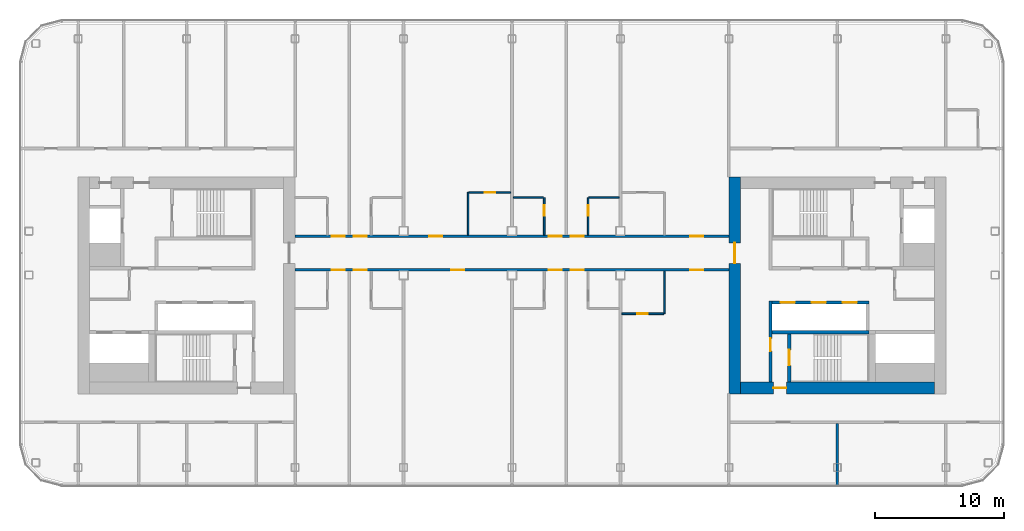
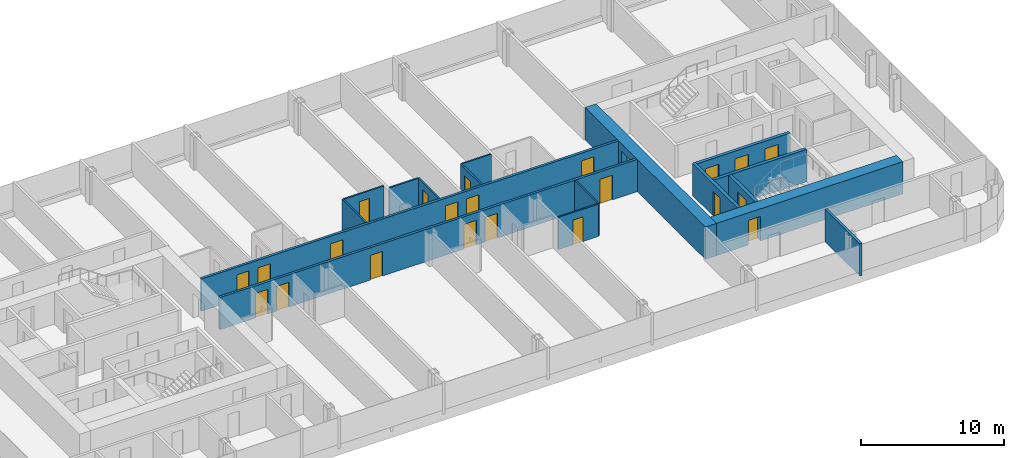
# One storey, part 15 of 26: 23 doors, 17 walls, 23 openings.
"""IFC4 building model written with IfcOpenShell, lengths in metres."""

from ifc_helpers import new_model, si_unit, direction, frame, frame_2d, origin, place, context, subcontext, project, spatial, rectangle, extrude, material, layer, layer_set, type_object, element, fill, save


model = new_model("IFC4")

# Units and contexts
model_context = context("Model", 3, precision=1e-05, world=origin(), true_north=direction((0.0, 1.0)))
body_context = subcontext(model_context, "Body", "Model", "MODEL_VIEW")
ifc_project = project(units=[si_unit("LENGTHUNIT", "METRE"), si_unit("AREAUNIT", "SQUARE_METRE"), si_unit("VOLUMEUNIT", "CUBIC_METRE"), si_unit("PLANEANGLEUNIT", "RADIAN"), si_unit("MASSUNIT", "GRAM", prefix="KILO")], contexts=[model_context])

# Site, building, storey
site_placement = place(None, origin())
site = spatial("IfcSite", under=ifc_project, at=site_placement, CompositionType="ELEMENT")
building_placement = place(site_placement, origin())
building = spatial("IfcBuilding", under=site, at=building_placement, Name="Hakoniwa Tower and Hamabe Station Hall", CompositionType="ELEMENT")
storey_placement = place(building_placement, frame((0.0, 0.0, 196.199951171875)))
storey = spatial("IfcBuildingStorey", under=building, at=storey_placement, Name="L55", CompositionType="ELEMENT", Elevation=196.199951171875)

# Wall, opening, door
ifc_material_1 = material(Name="Gypsum board partition", Category="gypsum")
ifc_layer_1 = layer(ifc_material_1, 0.125)
ifc_layer_set_1 = layer_set([ifc_layer_1], Name="Bathroom Partition 125")
wall_type_1 = type_object("IfcWallType", Name="Bathroom Partition 125", PredefinedType="PARTITIONING", material=ifc_layer_set_1)
wall_1_placement = place(storey_placement, frame((8.5, -2.199951171875, 0.0), z_axis=(0.0, 0.0, 1.0), x_axis=(1.0, 0.0, 0.0)))
wall_1 = element("IfcWall", 1, at=wall_1_placement, inside=storey, type_object=wall_type_1, Name="GW-L55-003", PredefinedType="PARTITIONING", context=body_context, shape_type="SweptSolid", body=[
    extrude(rectangle(XDim=3.237548828125, YDim=0.125, at=frame_2d((1.61865234375, 0.0))), origin(), (0.0, 0.0, 1.0), 2.75),
])
opening_1_placement = place(wall_1_placement, frame((1.199951171875, 0.0, 0.0)))
opening_1 = element("IfcOpeningElement", 2, at=opening_1_placement, cuts=wall_1, Name="Opening GD-G4D0-09", PredefinedType="OPENING", context=body_context, shape_type="SweptSolid", body=[
    extrude(rectangle(XDim=0.800048828125, YDim=2.10009765625, at=frame_2d((0.39990234375, 1.050048828125))), frame((0.0, 0.072509765625, 0.0), z_axis=(0.0, -1.0, 0.0), x_axis=(1.0, 0.0, 0.0)), (0.0, 0.0, 1.0), 0.14501953125),
])
ifc_material_2 = material(Name="Timber door leaf", Category="wood")
door_type_1 = type_object("IfcDoorType", Name="Bathroom Door 800", OperationType="SINGLE_SWING_LEFT", PredefinedType="DOOR", material=ifc_material_2)
door_1_placement = place(opening_1_placement, origin())
door_1 = element("IfcDoor", 3, at=door_1_placement, inside=storey, type_object=door_type_1, Name="Door GD-G4D0-09", OperationType="SINGLE_SWING_LEFT", OverallHeight=2.10009765625, OverallWidth=0.800048828125, PredefinedType="DOOR", context=body_context, shape_type="SweptSolid", body=[
    extrude(rectangle(XDim=0.800048828125, YDim=2.10009765625, at=frame_2d((0.39990234375, 1.050048828125))), frame((0.0, 0.02490234375, 0.0), z_axis=(0.0, -1.0, 0.0), x_axis=(1.0, 0.0, 0.0)), (0.0, 0.0, 1.0), 0.050048828125),
])
fill(opening_1, door_1)

# Walls
wall_2_placement = place(storey_placement, frame((0.10009765625, 6.800048828125, 0.0), z_axis=(0.0, 0.0, 1.0), x_axis=(1.0, 0.0, 0.0)))
element("IfcWall", 4, at=wall_2_placement, inside=storey, type_object=wall_type_1, Name="GW-L55-012", PredefinedType="PARTITIONING", context=body_context, shape_type="SweptSolid", body=[
    extrude(rectangle(XDim=2.33740234375, YDim=0.125, at=frame_2d((1.168701171875, 0.0))), origin(), (0.0, 0.0, 1.0), 2.75),
])
wall_3_placement = place(storey_placement, frame((5.96240234375, 6.800048828125, 0.0), z_axis=(0.0, 0.0, 1.0), x_axis=(1.0, 0.0, 0.0)))
element("IfcWall", 5, at=wall_3_placement, inside=storey, type_object=wall_type_1, Name="GW-L55-013", PredefinedType="PARTITIONING", context=body_context, shape_type="SweptSolid", body=[
    extrude(rectangle(XDim=2.337646484375, YDim=0.125, at=frame_2d((1.1689453125, 0.0))), origin(), (0.0, 0.0, 1.0), 2.75),
])

# Wall, opening, door
wall_4_placement = place(storey_placement, frame((-3.33740234375, 7.199951171875, 0.0), z_axis=(0.0, 0.0, 1.0), x_axis=(1.0, 0.0, 0.0)))
wall_4 = element("IfcWall", 6, at=wall_4_placement, inside=storey, type_object=wall_type_1, Name="GW-L55-014", PredefinedType="PARTITIONING", context=body_context, shape_type="SweptSolid", body=[
    extrude(rectangle(XDim=3.2373046875, YDim=0.125, at=frame_2d((1.61865234375, 0.0))), origin(), (0.0, 0.0, 1.0), 2.75),
])
opening_2_placement = place(wall_4_placement, frame((1.237548828125, 0.0, 0.0)))
opening_2 = element("IfcOpeningElement", 7, at=opening_2_placement, cuts=wall_4, Name="Opening GD-G4D0-22", PredefinedType="OPENING", context=body_context, shape_type="SweptSolid", body=[
    extrude(rectangle(XDim=0.800048828125, YDim=2.10009765625, at=frame_2d((0.39990234375, 1.050048828125))), frame((0.0, 0.072509765625, 0.0), z_axis=(0.0, -1.0, 0.0), x_axis=(1.0, 0.0, 0.0)), (0.0, 0.0, 1.0), 0.14501953125),
])
door_2_placement = place(opening_2_placement, origin())
door_2 = element("IfcDoor", 8, at=door_2_placement, inside=storey, type_object=door_type_1, Name="Door GD-G4D0-22", OperationType="SINGLE_SWING_LEFT", OverallHeight=2.10009765625, OverallWidth=0.800048828125, PredefinedType="DOOR", context=body_context, shape_type="SweptSolid", body=[
    extrude(rectangle(XDim=0.800048828125, YDim=2.10009765625, at=frame_2d((0.39990234375, 1.050048828125))), frame((0.0, 0.02490234375, 0.0), z_axis=(0.0, -1.0, 0.0), x_axis=(1.0, 0.0, 0.0)), (0.0, 0.0, 1.0), 0.050048828125),
])
fill(opening_2, door_2)

# Wall
wall_5_placement = place(storey_placement, frame((-3.39990234375, 3.89990234375, 0.0), z_axis=(0.0, 0.0, 1.0), x_axis=(0.0, 1.0, 0.0)))
element("IfcWall", 9, at=wall_5_placement, inside=storey, type_object=wall_type_1, Name="GW-L55-037", PredefinedType="PARTITIONING", context=body_context, shape_type="SweptSolid", body=[
    extrude(rectangle(XDim=3.300048828125, YDim=0.125, at=frame_2d((1.64990234375, 0.0))), origin(), (0.0, 0.0, 1.0), 2.75),
])

# Wall, opening, door
wall_6_placement = place(storey_placement, frame((2.5, 3.89990234375, 0.0), z_axis=(0.0, 0.0, 1.0), x_axis=(0.0, 1.0, 0.0)))
wall_6 = element("IfcWall", 10, at=wall_6_placement, inside=storey, type_object=wall_type_1, Name="GW-L55-041", PredefinedType="PARTITIONING", context=body_context, shape_type="SweptSolid", body=[
    extrude(rectangle(XDim=2.900146484375, YDim=0.125, at=frame_2d((1.4501953125, 0.0))), origin(), (0.0, 0.0, 1.0), 2.75),
])
opening_3_placement = place(wall_6_placement, frame((1.5, 0.0, 0.0)))
opening_3 = element("IfcOpeningElement", 11, at=opening_3_placement, cuts=wall_6, Name="Opening GD-G4D0-37", PredefinedType="OPENING", context=body_context, shape_type="SweptSolid", body=[
    extrude(rectangle(XDim=0.800048828125, YDim=2.10009765625, at=frame_2d((0.39990234375, 1.050048828125))), frame((0.0, 0.072509765625, 0.0), z_axis=(0.0, -1.0, 0.0), x_axis=(1.0, 0.0, 0.0)), (0.0, 0.0, 1.0), 0.14501953125),
])
door_3_placement = place(opening_3_placement, origin())
door_3 = element("IfcDoor", 12, at=door_3_placement, inside=storey, type_object=door_type_1, Name="Door GD-G4D0-37", OperationType="SINGLE_SWING_LEFT", OverallHeight=2.10009765625, OverallWidth=0.800048828125, PredefinedType="DOOR", context=body_context, shape_type="SweptSolid", body=[
    extrude(rectangle(XDim=0.800048828125, YDim=2.10009765625, at=frame_2d((0.39990234375, 1.050048828125))), frame((0.0, 0.02490234375, 0.0), z_axis=(0.0, -1.0, 0.0), x_axis=(1.0, 0.0, 0.0)), (0.0, 0.0, 1.0), 0.050048828125),
])
fill(opening_3, door_3)

wall_7_placement = place(storey_placement, frame((5.89990234375, 3.89990234375, 0.0), z_axis=(0.0, 0.0, 1.0), x_axis=(0.0, 1.0, 0.0)))
wall_7 = element("IfcWall", 13, at=wall_7_placement, inside=storey, type_object=wall_type_1, Name="GW-L55-045", PredefinedType="PARTITIONING", context=body_context, shape_type="SweptSolid", body=[
    extrude(rectangle(XDim=2.900146484375, YDim=0.125, at=frame_2d((1.4501953125, 0.0))), origin(), (0.0, 0.0, 1.0), 2.75),
])
opening_4_placement = place(wall_7_placement, frame((1.5, 0.0, 0.0)))
opening_4 = element("IfcOpeningElement", 14, at=opening_4_placement, cuts=wall_7, Name="Opening GD-G4D0-39", PredefinedType="OPENING", context=body_context, shape_type="SweptSolid", body=[
    extrude(rectangle(XDim=0.800048828125, YDim=2.10009765625, at=frame_2d((0.39990234375, 1.050048828125))), frame((0.0, 0.072509765625, 0.0), z_axis=(0.0, -1.0, 0.0), x_axis=(1.0, 0.0, 0.0)), (0.0, 0.0, 1.0), 0.14501953125),
])
door_4_placement = place(opening_4_placement, origin())
door_4 = element("IfcDoor", 15, at=door_4_placement, inside=storey, type_object=door_type_1, Name="Door GD-G4D0-39", OperationType="SINGLE_SWING_RIGHT", OverallHeight=2.10009765625, OverallWidth=0.800048828125, PredefinedType="DOOR", context=body_context, shape_type="SweptSolid", body=[
    extrude(rectangle(XDim=0.800048828125, YDim=2.10009765625, at=frame_2d((0.39990234375, 1.050048828125))), frame((0.0, 0.02490234375, 0.0), z_axis=(0.0, -1.0, 0.0), x_axis=(1.0, 0.0, 0.0)), (0.0, 0.0, 1.0), 0.050048828125),
])
fill(opening_4, door_4)

# Wall
wall_8_placement = place(storey_placement, frame((11.800048828125, -2.199951171875, 0.0), z_axis=(0.0, 0.0, 1.0), x_axis=(0.0, 1.0, 0.0)))
element("IfcWall", 16, at=wall_8_placement, inside=storey, type_object=wall_type_1, Name="GW-L55-048", PredefinedType="PARTITIONING", context=body_context, shape_type="SweptSolid", body=[
    extrude(rectangle(XDim=3.300048828125, YDim=0.125, at=frame_2d((1.64990234375, 0.0))), origin(), (0.0, 0.0, 1.0), 2.75),
])

# Wall, opening, door
ifc_material_3 = material(Name="Concrete C60", Category="concrete")
ifc_layer_2 = layer(ifc_material_3, 0.89990234375)
ifc_layer_set_2 = layer_set([ifc_layer_2], Name="CORE WALL 900 C60")
wall_type_2 = type_object("IfcWallType", Name="CORE WALL 900 C60", PredefinedType="SHEAR", material=ifc_layer_set_2)
wall_9_placement = place(storey_placement, frame((17.25, -8.39990234375, 0.0), z_axis=(0.0, 0.0, 1.0), x_axis=(0.0, 1.0, 0.0)))
wall_9 = element("IfcWall", 17, at=wall_9_placement, inside=storey, type_object=wall_type_2, Name="Core wall INNER east", PredefinedType="SHEAR", context=body_context, shape_type="SweptSolid", body=[
    extrude(rectangle(XDim=16.7998046875, YDim=0.89990234375, at=frame_2d((8.39990234375, 0.0))), origin(), (0.0, 0.0, 1.0), 2.75),
])
opening_5_placement = place(wall_9_placement, frame((10.10009765625, 0.0, 0.0)))
opening_5 = element("IfcOpeningElement", 18, at=opening_5_placement, cuts=wall_9, Name="Opening CD-E-IN1-16", PredefinedType="OPENING", context=body_context, shape_type="SweptSolid", body=[
    extrude(rectangle(XDim=1.60009765625, YDim=2.10009765625, at=frame_2d((0.800048828125, 1.050048828125))), frame((0.0, 0.4599609375, 0.0), z_axis=(0.0, -1.0, 0.0), x_axis=(1.0, 0.0, 0.0)), (0.0, 0.0, 1.0), 0.919921875),
])
ifc_material_4 = material(Name="Steel fire door", Category="steel")
door_type_2 = type_object("IfcDoorType", Name="CORE DOOR 1600 FD60", OperationType="DOUBLE_DOOR_SINGLE_SWING", PredefinedType="DOOR", material=ifc_material_4)
door_5_placement = place(opening_5_placement, origin())
door_5 = element("IfcDoor", 19, at=door_5_placement, inside=storey, type_object=door_type_2, Name="Lift lobby door", OperationType="DOUBLE_DOOR_SINGLE_SWING", OverallHeight=2.10009765625, OverallWidth=1.60009765625, PredefinedType="DOOR", context=body_context, shape_type="SweptSolid", body=[
    extrude(rectangle(XDim=1.60009765625, YDim=2.10009765625, at=frame_2d((0.800048828125, 1.050048828125))), frame((0.0, 0.02490234375, 0.0), z_axis=(0.0, -1.0, 0.0), x_axis=(1.0, 0.0, 0.0)), (0.0, 0.0, 1.0), 0.050048828125),
])
fill(opening_5, door_5)

wall_10_placement = place(storey_placement, frame((17.699951171875, -7.949951171875, 0.0), z_axis=(0.0, 0.0, 1.0), x_axis=(1.0, 0.0, 0.0)))
wall_10 = element("IfcWall", 20, at=wall_10_placement, inside=storey, type_object=wall_type_2, Name="Core wall SOUTH east", PredefinedType="SHEAR", context=body_context, shape_type="SweptSolid", body=[
    extrude(rectangle(XDim=15.0, YDim=0.89990234375, at=frame_2d((7.5, 0.0))), origin(), (0.0, 0.0, 1.0), 2.75),
])
opening_6_placement = place(wall_10_placement, frame((2.550048828125, 0.0, 0.0)))
opening_6 = element("IfcOpeningElement", 21, at=opening_6_placement, cuts=wall_10, Name="Opening CD-E-FS3-10", PredefinedType="OPENING", context=body_context, shape_type="SweptSolid", body=[
    extrude(rectangle(XDim=1.0, YDim=2.10009765625, at=frame_2d((0.5, 1.050048828125))), frame((0.0, 0.4599609375, 0.0), z_axis=(0.0, -1.0, 0.0), x_axis=(1.0, 0.0, 0.0)), (0.0, 0.0, 1.0), 0.919921875),
])
ifc_material_5 = material(Name="Steel fire door", Category="steel")
door_type_3 = type_object("IfcDoorType", Name="CORE DOOR 1000 FD60", OperationType="NOTDEFINED", PredefinedType="DOOR", material=ifc_material_5)
door_6_placement = place(opening_6_placement, origin())
door_6 = element("IfcDoor", 22, at=door_6_placement, inside=storey, type_object=door_type_3, Name="Stair vestibule door", OperationType="SINGLE_SWING_LEFT", OverallHeight=2.10009765625, OverallWidth=1.0, PredefinedType="DOOR", context=body_context, shape_type="SweptSolid", body=[
    extrude(rectangle(XDim=1.0, YDim=2.10009765625, at=frame_2d((0.5, 1.050048828125))), frame((0.0, 0.02490234375, 0.0), z_axis=(0.0, -1.0, 0.0), x_axis=(1.0, 0.0, 0.0)), (0.0, 0.0, 1.0), 0.050048828125),
])
fill(opening_6, door_6)

ifc_material_6 = material(Name="Concrete C60", Category="concrete")
ifc_layer_3 = layer(ifc_material_6, 0.25)
ifc_layer_set_3 = layer_set([ifc_layer_3], Name="CORE WEB WALL 250 C60")
wall_type_3 = type_object("IfcWallType", Name="CORE WEB WALL 250 C60", PredefinedType="SHEAR", material=ifc_layer_set_3)
wall_11_placement = place(storey_placement, frame((20.02490234375, -7.5, 0.0), z_axis=(0.0, 0.0, 1.0), x_axis=(0.0, 1.0, 0.0)))
wall_11 = element("IfcWall", 23, at=wall_11_placement, inside=storey, type_object=wall_type_3, Name="Core wall W1S east", PredefinedType="SHEAR", context=body_context, shape_type="SweptSolid", body=[
    extrude(rectangle(XDim=6.300048828125, YDim=0.25, at=frame_2d((3.14990234375, 0.0))), origin(), (0.0, 0.0, 1.0), 2.75),
])
opening_7_placement = place(wall_11_placement, frame((2.39990234375, 0.0, 0.0)))
opening_7 = element("IfcOpeningElement", 24, at=opening_7_placement, cuts=wall_11, Name="Opening CD-E-VS-10", PredefinedType="OPENING", context=body_context, shape_type="SweptSolid", body=[
    extrude(rectangle(XDim=1.0, YDim=2.10009765625, at=frame_2d((0.5, 1.050048828125))), frame((0.0, 0.135009765625, 0.0), z_axis=(0.0, -1.0, 0.0), x_axis=(1.0, 0.0, 0.0)), (0.0, 0.0, 1.0), 0.27001953125),
])
door_7_placement = place(opening_7_placement, origin())
door_7 = element("IfcDoor", 25, at=door_7_placement, inside=storey, type_object=door_type_3, Name="Stair vestibule door", OperationType="SINGLE_SWING_RIGHT", OverallHeight=2.10009765625, OverallWidth=1.0, PredefinedType="DOOR", context=body_context, shape_type="SweptSolid", body=[
    extrude(rectangle(XDim=1.0, YDim=2.10009765625, at=frame_2d((0.5, 1.050048828125))), frame((0.0, 0.02490234375, 0.0), z_axis=(0.0, -1.0, 0.0), x_axis=(1.0, 0.0, 0.0)), (0.0, 0.0, 1.0), 0.050048828125),
])
fill(opening_7, door_7)

# Wall, openings, doors
wall_12_placement = place(storey_placement, frame((20.14990234375, -1.324951171875, 0.0), z_axis=(0.0, 0.0, 1.0), x_axis=(1.0, 0.0, 0.0)))
wall_12 = element("IfcWall", 26, at=wall_12_placement, inside=storey, type_object=wall_type_3, Name="Core wall SF east", PredefinedType="SHEAR", context=body_context, shape_type="SweptSolid", body=[
    extrude(rectangle(XDim=7.5, YDim=0.25, at=frame_2d((3.75, 0.0))), origin(), (0.0, 0.0, 1.0), 2.75),
])
opening_8_placement = place(wall_12_placement, frame((0.64990234375, 0.0, 0.0)))
opening_8 = element("IfcOpeningElement", 27, at=opening_8_placement, cuts=wall_12, Name="Opening LD-HR4", PredefinedType="OPENING", context=body_context, shape_type="SweptSolid", body=[
    extrude(rectangle(XDim=1.10009765625, YDim=2.10009765625, at=frame_2d((0.550048828125, 1.050048828125))), frame((0.0, 0.135009765625, 0.0), z_axis=(0.0, -1.0, 0.0), x_axis=(1.0, 0.0, 0.0)), (0.0, 0.0, 1.0), 0.27001953125),
])
opening_9_placement = place(wall_12_placement, frame((3.050048828125, 0.0, 0.0)))
opening_9 = element("IfcOpeningElement", 28, at=opening_9_placement, cuts=wall_12, Name="Opening LD-HR5", PredefinedType="OPENING", context=body_context, shape_type="SweptSolid", body=[
    extrude(rectangle(XDim=1.10009765625, YDim=2.10009765625, at=frame_2d((0.550048828125, 1.050048828125))), frame((0.0, 0.135009765625, 0.0), z_axis=(0.0, -1.0, 0.0), x_axis=(1.0, 0.0, 0.0)), (0.0, 0.0, 1.0), 0.27001953125),
])
opening_10_placement = place(wall_12_placement, frame((5.449951171875, 0.0, 0.0)))
opening_10 = element("IfcOpeningElement", 29, at=opening_10_placement, cuts=wall_12, Name="Opening LD-HR6", PredefinedType="OPENING", context=body_context, shape_type="SweptSolid", body=[
    extrude(rectangle(XDim=1.10009765625, YDim=2.10009765625, at=frame_2d((0.550048828125, 1.050048828125))), frame((0.0, 0.135009765625, 0.0), z_axis=(0.0, -1.0, 0.0), x_axis=(1.0, 0.0, 0.0)), (0.0, 0.0, 1.0), 0.27001953125),
])
ifc_material_7 = material(Name="Stainless steel SUS304", Category="steel")
door_type_4 = type_object("IfcDoorType", Name="LIFT LANDING DOOR 1100 FD60", OperationType="DOUBLE_DOOR_SLIDING", PredefinedType="DOOR", material=ifc_material_7)
door_8_placement = place(opening_8_placement, origin())
door_8 = element("IfcDoor", 30, at=door_8_placement, inside=storey, type_object=door_type_4, Name="Lift landing door HR4 L55", OperationType="DOUBLE_DOOR_SLIDING", OverallHeight=2.10009765625, OverallWidth=1.10009765625, PredefinedType="DOOR", context=body_context, shape_type="SweptSolid", body=[
    extrude(rectangle(XDim=1.10009765625, YDim=2.10009765625, at=frame_2d((0.550048828125, 1.050048828125))), frame((0.0, 0.02490234375, 0.0), z_axis=(0.0, -1.0, 0.0), x_axis=(1.0, 0.0, 0.0)), (0.0, 0.0, 1.0), 0.050048828125),
])
fill(opening_8, door_8)
door_9_placement = place(opening_9_placement, origin())
door_9 = element("IfcDoor", 31, at=door_9_placement, inside=storey, type_object=door_type_4, Name="Lift landing door HR5 L55", OperationType="DOUBLE_DOOR_SLIDING", OverallHeight=2.10009765625, OverallWidth=1.10009765625, PredefinedType="DOOR", context=body_context, shape_type="SweptSolid", body=[
    extrude(rectangle(XDim=1.10009765625, YDim=2.10009765625, at=frame_2d((0.550048828125, 1.050048828125))), frame((0.0, 0.02490234375, 0.0), z_axis=(0.0, -1.0, 0.0), x_axis=(1.0, 0.0, 0.0)), (0.0, 0.0, 1.0), 0.050048828125),
])
fill(opening_9, door_9)
door_10_placement = place(opening_10_placement, origin())
door_10 = element("IfcDoor", 32, at=door_10_placement, inside=storey, type_object=door_type_4, Name="Lift landing door HR6 L55", OperationType="DOUBLE_DOOR_SLIDING", OverallHeight=2.10009765625, OverallWidth=1.10009765625, PredefinedType="DOOR", context=body_context, shape_type="SweptSolid", body=[
    extrude(rectangle(XDim=1.10009765625, YDim=2.10009765625, at=frame_2d((0.550048828125, 1.050048828125))), frame((0.0, 0.02490234375, 0.0), z_axis=(0.0, -1.0, 0.0), x_axis=(1.0, 0.0, 0.0)), (0.0, 0.0, 1.0), 0.050048828125),
])
fill(opening_10, door_10)

# Wall
wall_13_placement = place(storey_placement, frame((20.14990234375, -3.625, 0.0), z_axis=(0.0, 0.0, 1.0), x_axis=(1.0, 0.0, 0.0)))
element("IfcWall", 33, at=wall_13_placement, inside=storey, type_object=wall_type_3, Name="Core wall SR east", PredefinedType="SHEAR", context=body_context, shape_type="SweptSolid", body=[
    extrude(rectangle(XDim=7.5, YDim=0.25, at=frame_2d((3.75, 0.0))), origin(), (0.0, 0.0, 1.0), 2.75),
])

# Wall, opening, door
wall_14_placement = place(storey_placement, frame((21.47509765625, -7.5, 0.0), z_axis=(0.0, 0.0, 1.0), x_axis=(0.0, 1.0, 0.0)))
wall_14 = element("IfcWall", 34, at=wall_14_placement, inside=storey, type_object=wall_type_3, Name="Core wall VE east", PredefinedType="SHEAR", context=body_context, shape_type="SweptSolid", body=[
    extrude(rectangle(XDim=3.75, YDim=0.25, at=frame_2d((1.875, 0.0))), origin(), (0.0, 0.0, 1.0), 2.75),
])
opening_11_placement = place(wall_14_placement, frame((1.300048828125, 0.0, 0.0)))
opening_11 = element("IfcOpeningElement", 35, at=opening_11_placement, cuts=wall_14, Name="Opening CD-E-SS-12", PredefinedType="OPENING", context=body_context, shape_type="SweptSolid", body=[
    extrude(rectangle(XDim=1.199951171875, YDim=2.10009765625, at=frame_2d((0.60009765625, 1.050048828125))), frame((0.0, 0.135009765625, 0.0), z_axis=(0.0, -1.0, 0.0), x_axis=(1.0, 0.0, 0.0)), (0.0, 0.0, 1.0), 0.27001953125),
])
ifc_material_8 = material(Name="Steel fire door", Category="steel")
door_type_5 = type_object("IfcDoorType", Name="CORE DOOR 1200 FD60", OperationType="DOUBLE_DOOR_SINGLE_SWING", PredefinedType="DOOR", material=ifc_material_8)
door_11_placement = place(opening_11_placement, origin())
door_11 = element("IfcDoor", 36, at=door_11_placement, inside=storey, type_object=door_type_5, Name="Escape stair door", OperationType="DOUBLE_DOOR_SINGLE_SWING", OverallHeight=2.10009765625, OverallWidth=1.199951171875, PredefinedType="DOOR", context=body_context, shape_type="SweptSolid", body=[
    extrude(rectangle(XDim=1.199951171875, YDim=2.10009765625, at=frame_2d((0.60009765625, 1.050048828125))), frame((0.0, 0.02490234375, 0.0), z_axis=(0.0, -1.0, 0.0), x_axis=(1.0, 0.0, 0.0)), (0.0, 0.0, 1.0), 0.050048828125),
])
fill(opening_11, door_11)

# Wall, openings, doors
ifc_material_9 = material(Name="Fire-rated gypsum board partition", Category="gypsum")
ifc_layer_4 = layer(ifc_material_9, 0.199951171875)
ifc_layer_set_4 = layer_set([ifc_layer_4], Name="Corridor Wall 200")
wall_type_4 = type_object("IfcWallType", Name="Corridor Wall 200", PredefinedType="PARTITIONING", material=ifc_layer_set_4)
wall_15_placement = place(storey_placement, frame((-16.800048828125, 1.199951171875, 0.0), z_axis=(0.0, 0.0, 1.0), x_axis=(1.0, 0.0, 0.0)))
wall_15 = element("IfcWall", 37, at=wall_15_placement, inside=storey, type_object=wall_type_4, Name="GW-L55-008", PredefinedType="PARTITIONING", context=body_context, shape_type="SweptSolid", body=[
    extrude(rectangle(XDim=33.60009765625, YDim=0.199951171875, at=frame_2d((16.800048828125, 0.0))), origin(), (0.0, 0.0, 1.0), 2.75),
])
opening_12_placement = place(wall_15_placement, frame((2.85009765625, 0.0, 0.0)))
opening_12 = element("IfcOpeningElement", 38, at=opening_12_placement, cuts=wall_15, Name="Opening GD-G4D0-10", PredefinedType="OPENING", context=body_context, shape_type="SweptSolid", body=[
    extrude(rectangle(XDim=1.0, YDim=2.10009765625, at=frame_2d((0.5, 1.050048828125))), frame((0.0, 0.10986328125, 0.0), z_axis=(0.0, -1.0, 0.0), x_axis=(1.0, 0.0, 0.0)), (0.0, 0.0, 1.0), 0.219970703125),
])
opening_13_placement = place(wall_15_placement, frame((4.550048828125, 0.0, 0.0)))
opening_13 = element("IfcOpeningElement", 39, at=opening_13_placement, cuts=wall_15, Name="Opening GD-G4D0-11", PredefinedType="OPENING", context=body_context, shape_type="SweptSolid", body=[
    extrude(rectangle(XDim=1.0, YDim=2.10009765625, at=frame_2d((0.5, 1.050048828125))), frame((0.0, 0.10986328125, 0.0), z_axis=(0.0, -1.0, 0.0), x_axis=(1.0, 0.0, 0.0)), (0.0, 0.0, 1.0), 0.219970703125),
])
opening_14_placement = place(wall_15_placement, frame((12.10009765625, 0.0, 0.0)))
opening_14 = element("IfcOpeningElement", 40, at=opening_14_placement, cuts=wall_15, Name="Opening GD-G4D0-12", PredefinedType="OPENING", context=body_context, shape_type="SweptSolid", body=[
    extrude(rectangle(XDim=1.0, YDim=2.10009765625, at=frame_2d((0.5, 1.050048828125))), frame((0.0, 0.10986328125, 0.0), z_axis=(0.0, -1.0, 0.0), x_axis=(1.0, 0.0, 0.0)), (0.0, 0.0, 1.0), 0.219970703125),
])
opening_15_placement = place(wall_15_placement, frame((19.64990234375, 0.0, 0.0)))
opening_15 = element("IfcOpeningElement", 41, at=opening_15_placement, cuts=wall_15, Name="Opening GD-G4D0-13", PredefinedType="OPENING", context=body_context, shape_type="SweptSolid", body=[
    extrude(rectangle(XDim=1.0, YDim=2.10009765625, at=frame_2d((0.5, 1.050048828125))), frame((0.0, 0.10986328125, 0.0), z_axis=(0.0, -1.0, 0.0), x_axis=(1.0, 0.0, 0.0)), (0.0, 0.0, 1.0), 0.219970703125),
])
opening_16_placement = place(wall_15_placement, frame((21.35009765625, 0.0, 0.0)))
opening_16 = element("IfcOpeningElement", 42, at=opening_16_placement, cuts=wall_15, Name="Opening GD-G4D0-14", PredefinedType="OPENING", context=body_context, shape_type="SweptSolid", body=[
    extrude(rectangle(XDim=1.0, YDim=2.10009765625, at=frame_2d((0.5, 1.050048828125))), frame((0.0, 0.10986328125, 0.0), z_axis=(0.0, -1.0, 0.0), x_axis=(1.0, 0.0, 0.0)), (0.0, 0.0, 1.0), 0.219970703125),
])
opening_17_placement = place(wall_15_placement, frame((30.60009765625, 0.0, 0.0)))
opening_17 = element("IfcOpeningElement", 43, at=opening_17_placement, cuts=wall_15, Name="Opening GD-G4D0-15", PredefinedType="OPENING", context=body_context, shape_type="SweptSolid", body=[
    extrude(rectangle(XDim=1.0, YDim=2.10009765625, at=frame_2d((0.5, 1.050048828125))), frame((0.0, 0.10986328125, 0.0), z_axis=(0.0, -1.0, 0.0), x_axis=(1.0, 0.0, 0.0)), (0.0, 0.0, 1.0), 0.219970703125),
])
ifc_material_10 = material(Name="Timber door leaf", Category="wood")
door_type_6 = type_object("IfcDoorType", Name="Guest Entrance Door 1000", OperationType="SINGLE_SWING_LEFT", PredefinedType="DOOR", material=ifc_material_10)
door_12_placement = place(opening_12_placement, origin())
door_12 = element("IfcDoor", 44, at=door_12_placement, inside=storey, type_object=door_type_6, Name="Door GD-G4D0-10", OperationType="SINGLE_SWING_RIGHT", OverallHeight=2.10009765625, OverallWidth=1.0, PredefinedType="DOOR", context=body_context, shape_type="SweptSolid", body=[
    extrude(rectangle(XDim=1.0, YDim=2.10009765625, at=frame_2d((0.5, 1.050048828125))), frame((0.0, 0.02490234375, 0.0), z_axis=(0.0, -1.0, 0.0), x_axis=(1.0, 0.0, 0.0)), (0.0, 0.0, 1.0), 0.050048828125),
])
fill(opening_12, door_12)
door_13_placement = place(opening_13_placement, origin())
door_13 = element("IfcDoor", 45, at=door_13_placement, inside=storey, type_object=door_type_6, Name="Door GD-G4D0-11", OperationType="SINGLE_SWING_LEFT", OverallHeight=2.10009765625, OverallWidth=1.0, PredefinedType="DOOR", context=body_context, shape_type="SweptSolid", body=[
    extrude(rectangle(XDim=1.0, YDim=2.10009765625, at=frame_2d((0.5, 1.050048828125))), frame((0.0, 0.02490234375, 0.0), z_axis=(0.0, -1.0, 0.0), x_axis=(1.0, 0.0, 0.0)), (0.0, 0.0, 1.0), 0.050048828125),
])
fill(opening_13, door_13)
door_14_placement = place(opening_14_placement, origin())
door_14 = element("IfcDoor", 46, at=door_14_placement, inside=storey, type_object=door_type_6, Name="Door GD-G4D0-12", OperationType="SINGLE_SWING_RIGHT", OverallHeight=2.10009765625, OverallWidth=1.0, PredefinedType="DOOR", context=body_context, shape_type="SweptSolid", body=[
    extrude(rectangle(XDim=1.0, YDim=2.10009765625, at=frame_2d((0.5, 1.050048828125))), frame((0.0, 0.02490234375, 0.0), z_axis=(0.0, -1.0, 0.0), x_axis=(1.0, 0.0, 0.0)), (0.0, 0.0, 1.0), 0.050048828125),
])
fill(opening_14, door_14)
door_15_placement = place(opening_15_placement, origin())
door_15 = element("IfcDoor", 47, at=door_15_placement, inside=storey, type_object=door_type_6, Name="Door GD-G4D0-13", OperationType="SINGLE_SWING_LEFT", OverallHeight=2.10009765625, OverallWidth=1.0, PredefinedType="DOOR", context=body_context, shape_type="SweptSolid", body=[
    extrude(rectangle(XDim=1.0, YDim=2.10009765625, at=frame_2d((0.5, 1.050048828125))), frame((0.0, 0.02490234375, 0.0), z_axis=(0.0, -1.0, 0.0), x_axis=(1.0, 0.0, 0.0)), (0.0, 0.0, 1.0), 0.050048828125),
])
fill(opening_15, door_15)
door_16_placement = place(opening_16_placement, origin())
door_16 = element("IfcDoor", 48, at=door_16_placement, inside=storey, type_object=door_type_6, Name="Door GD-G4D0-14", OperationType="SINGLE_SWING_RIGHT", OverallHeight=2.10009765625, OverallWidth=1.0, PredefinedType="DOOR", context=body_context, shape_type="SweptSolid", body=[
    extrude(rectangle(XDim=1.0, YDim=2.10009765625, at=frame_2d((0.5, 1.050048828125))), frame((0.0, 0.02490234375, 0.0), z_axis=(0.0, -1.0, 0.0), x_axis=(1.0, 0.0, 0.0)), (0.0, 0.0, 1.0), 0.050048828125),
])
fill(opening_16, door_16)
door_17_placement = place(opening_17_placement, origin())
door_17 = element("IfcDoor", 49, at=door_17_placement, inside=storey, type_object=door_type_6, Name="Door GD-G4D0-15", OperationType="SINGLE_SWING_LEFT", OverallHeight=2.10009765625, OverallWidth=1.0, PredefinedType="DOOR", context=body_context, shape_type="SweptSolid", body=[
    extrude(rectangle(XDim=1.0, YDim=2.10009765625, at=frame_2d((0.5, 1.050048828125))), frame((0.0, 0.02490234375, 0.0), z_axis=(0.0, -1.0, 0.0), x_axis=(1.0, 0.0, 0.0)), (0.0, 0.0, 1.0), 0.050048828125),
])
fill(opening_17, door_17)

wall_16_placement = place(storey_placement, frame((-16.800048828125, 3.800048828125, 0.0), z_axis=(0.0, 0.0, 1.0), x_axis=(1.0, 0.0, 0.0)))
wall_16 = element("IfcWall", 50, at=wall_16_placement, inside=storey, type_object=wall_type_4, Name="GW-L55-009", PredefinedType="PARTITIONING", context=body_context, shape_type="SweptSolid", body=[
    extrude(rectangle(XDim=33.60009765625, YDim=0.199951171875, at=frame_2d((16.800048828125, 0.0))), origin(), (0.0, 0.0, 1.0), 2.75),
])
opening_18_placement = place(wall_16_placement, frame((2.85009765625, 0.0, 0.0)))
opening_18 = element("IfcOpeningElement", 51, at=opening_18_placement, cuts=wall_16, Name="Opening GD-G4D0-16", PredefinedType="OPENING", context=body_context, shape_type="SweptSolid", body=[
    extrude(rectangle(XDim=1.0, YDim=2.10009765625, at=frame_2d((0.5, 1.050048828125))), frame((0.0, 0.10986328125, 0.0), z_axis=(0.0, -1.0, 0.0), x_axis=(1.0, 0.0, 0.0)), (0.0, 0.0, 1.0), 0.219970703125),
])
opening_19_placement = place(wall_16_placement, frame((4.550048828125, 0.0, 0.0)))
opening_19 = element("IfcOpeningElement", 52, at=opening_19_placement, cuts=wall_16, Name="Opening GD-G4D0-17", PredefinedType="OPENING", context=body_context, shape_type="SweptSolid", body=[
    extrude(rectangle(XDim=1.0, YDim=2.10009765625, at=frame_2d((0.5, 1.050048828125))), frame((0.0, 0.10986328125, 0.0), z_axis=(0.0, -1.0, 0.0), x_axis=(1.0, 0.0, 0.0)), (0.0, 0.0, 1.0), 0.219970703125),
])
opening_20_placement = place(wall_16_placement, frame((10.39990234375, 0.0, 0.0)))
opening_20 = element("IfcOpeningElement", 53, at=opening_20_placement, cuts=wall_16, Name="Opening GD-G4D0-18", PredefinedType="OPENING", context=body_context, shape_type="SweptSolid", body=[
    extrude(rectangle(XDim=1.0, YDim=2.10009765625, at=frame_2d((0.5, 1.050048828125))), frame((0.0, 0.10986328125, 0.0), z_axis=(0.0, -1.0, 0.0), x_axis=(1.0, 0.0, 0.0)), (0.0, 0.0, 1.0), 0.219970703125),
])
opening_21_placement = place(wall_16_placement, frame((19.64990234375, 0.0, 0.0)))
opening_21 = element("IfcOpeningElement", 54, at=opening_21_placement, cuts=wall_16, Name="Opening GD-G4D0-19", PredefinedType="OPENING", context=body_context, shape_type="SweptSolid", body=[
    extrude(rectangle(XDim=1.0, YDim=2.10009765625, at=frame_2d((0.5, 1.050048828125))), frame((0.0, 0.10986328125, 0.0), z_axis=(0.0, -1.0, 0.0), x_axis=(1.0, 0.0, 0.0)), (0.0, 0.0, 1.0), 0.219970703125),
])
opening_22_placement = place(wall_16_placement, frame((21.35009765625, 0.0, 0.0)))
opening_22 = element("IfcOpeningElement", 55, at=opening_22_placement, cuts=wall_16, Name="Opening GD-G4D0-20", PredefinedType="OPENING", context=body_context, shape_type="SweptSolid", body=[
    extrude(rectangle(XDim=1.0, YDim=2.10009765625, at=frame_2d((0.5, 1.050048828125))), frame((0.0, 0.10986328125, 0.0), z_axis=(0.0, -1.0, 0.0), x_axis=(1.0, 0.0, 0.0)), (0.0, 0.0, 1.0), 0.219970703125),
])
opening_23_placement = place(wall_16_placement, frame((30.60009765625, 0.0, 0.0)))
opening_23 = element("IfcOpeningElement", 56, at=opening_23_placement, cuts=wall_16, Name="Opening GD-G4D0-21", PredefinedType="OPENING", context=body_context, shape_type="SweptSolid", body=[
    extrude(rectangle(XDim=1.0, YDim=2.10009765625, at=frame_2d((0.5, 1.050048828125))), frame((0.0, 0.10986328125, 0.0), z_axis=(0.0, -1.0, 0.0), x_axis=(1.0, 0.0, 0.0)), (0.0, 0.0, 1.0), 0.219970703125),
])
door_18_placement = place(opening_18_placement, origin())
door_18 = element("IfcDoor", 57, at=door_18_placement, inside=storey, type_object=door_type_6, Name="Door GD-G4D0-16", OperationType="SINGLE_SWING_LEFT", OverallHeight=2.10009765625, OverallWidth=1.0, PredefinedType="DOOR", context=body_context, shape_type="SweptSolid", body=[
    extrude(rectangle(XDim=1.0, YDim=2.10009765625, at=frame_2d((0.5, 1.050048828125))), frame((0.0, 0.02490234375, 0.0), z_axis=(0.0, -1.0, 0.0), x_axis=(1.0, 0.0, 0.0)), (0.0, 0.0, 1.0), 0.050048828125),
])
fill(opening_18, door_18)
door_19_placement = place(opening_19_placement, origin())
door_19 = element("IfcDoor", 58, at=door_19_placement, inside=storey, type_object=door_type_6, Name="Door GD-G4D0-17", OperationType="SINGLE_SWING_RIGHT", OverallHeight=2.10009765625, OverallWidth=1.0, PredefinedType="DOOR", context=body_context, shape_type="SweptSolid", body=[
    extrude(rectangle(XDim=1.0, YDim=2.10009765625, at=frame_2d((0.5, 1.050048828125))), frame((0.0, 0.02490234375, 0.0), z_axis=(0.0, -1.0, 0.0), x_axis=(1.0, 0.0, 0.0)), (0.0, 0.0, 1.0), 0.050048828125),
])
fill(opening_19, door_19)
door_20_placement = place(opening_20_placement, origin())
door_20 = element("IfcDoor", 59, at=door_20_placement, inside=storey, type_object=door_type_6, Name="Door GD-G4D0-18", OperationType="SINGLE_SWING_LEFT", OverallHeight=2.10009765625, OverallWidth=1.0, PredefinedType="DOOR", context=body_context, shape_type="SweptSolid", body=[
    extrude(rectangle(XDim=1.0, YDim=2.10009765625, at=frame_2d((0.5, 1.050048828125))), frame((0.0, 0.02490234375, 0.0), z_axis=(0.0, -1.0, 0.0), x_axis=(1.0, 0.0, 0.0)), (0.0, 0.0, 1.0), 0.050048828125),
])
fill(opening_20, door_20)
door_21_placement = place(opening_21_placement, origin())
door_21 = element("IfcDoor", 60, at=door_21_placement, inside=storey, type_object=door_type_6, Name="Door GD-G4D0-19", OperationType="SINGLE_SWING_RIGHT", OverallHeight=2.10009765625, OverallWidth=1.0, PredefinedType="DOOR", context=body_context, shape_type="SweptSolid", body=[
    extrude(rectangle(XDim=1.0, YDim=2.10009765625, at=frame_2d((0.5, 1.050048828125))), frame((0.0, 0.02490234375, 0.0), z_axis=(0.0, -1.0, 0.0), x_axis=(1.0, 0.0, 0.0)), (0.0, 0.0, 1.0), 0.050048828125),
])
fill(opening_21, door_21)
door_22_placement = place(opening_22_placement, origin())
door_22 = element("IfcDoor", 61, at=door_22_placement, inside=storey, type_object=door_type_6, Name="Door GD-G4D0-20", OperationType="SINGLE_SWING_RIGHT", OverallHeight=2.10009765625, OverallWidth=1.0, PredefinedType="DOOR", context=body_context, shape_type="SweptSolid", body=[
    extrude(rectangle(XDim=1.0, YDim=2.10009765625, at=frame_2d((0.5, 1.050048828125))), frame((0.0, 0.02490234375, 0.0), z_axis=(0.0, -1.0, 0.0), x_axis=(1.0, 0.0, 0.0)), (0.0, 0.0, 1.0), 0.050048828125),
])
fill(opening_22, door_22)
door_23_placement = place(opening_23_placement, origin())
door_23 = element("IfcDoor", 62, at=door_23_placement, inside=storey, type_object=door_type_6, Name="Door GD-G4D0-21", OperationType="SINGLE_SWING_LEFT", OverallHeight=2.10009765625, OverallWidth=1.0, PredefinedType="DOOR", context=body_context, shape_type="SweptSolid", body=[
    extrude(rectangle(XDim=1.0, YDim=2.10009765625, at=frame_2d((0.5, 1.050048828125))), frame((0.0, 0.02490234375, 0.0), z_axis=(0.0, -1.0, 0.0), x_axis=(1.0, 0.0, 0.0)), (0.0, 0.0, 1.0), 0.050048828125),
])
fill(opening_23, door_23)

# Wall
ifc_material_11 = material(Name="Fire-rated gypsum board partition", Category="gypsum")
ifc_layer_5 = layer(ifc_material_11, 0.199951171875)
ifc_layer_set_5 = layer_set([ifc_layer_5], Name="Party Wall 200")
wall_type_5 = type_object("IfcWallType", Name="Party Wall 200", PredefinedType="PARTITIONING", material=ifc_layer_set_5)
wall_17_placement = place(storey_placement, frame((25.199951171875, -15.550048828125, 0.0), z_axis=(0.0, 0.0, 1.0), x_axis=(0.0, 1.0, 0.0)))
element("IfcWall", 63, at=wall_17_placement, inside=storey, type_object=wall_type_5, Name="GW-L55-052", PredefinedType="PARTITIONING", context=body_context, shape_type="SweptSolid", body=[
    extrude(rectangle(XDim=4.85009765625, YDim=0.199951171875, at=frame_2d((2.425048828125, 0.0))), origin(), (0.0, 0.0, 1.0), 2.75),
])

save(model, "model.ifc")
